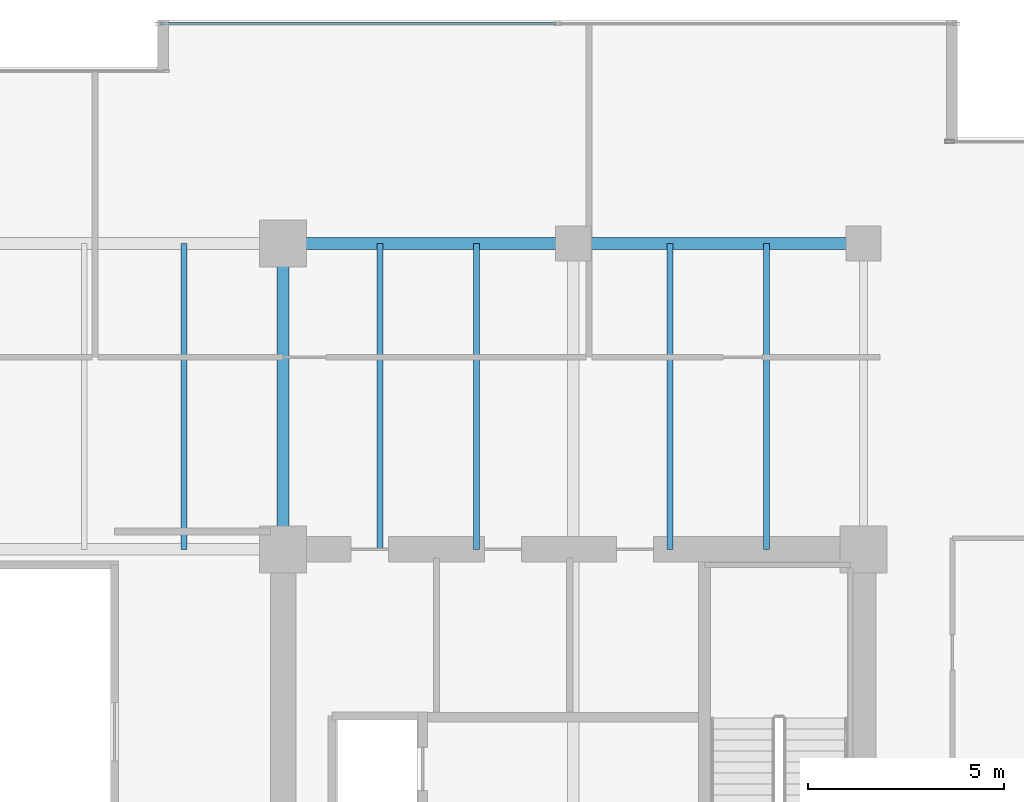
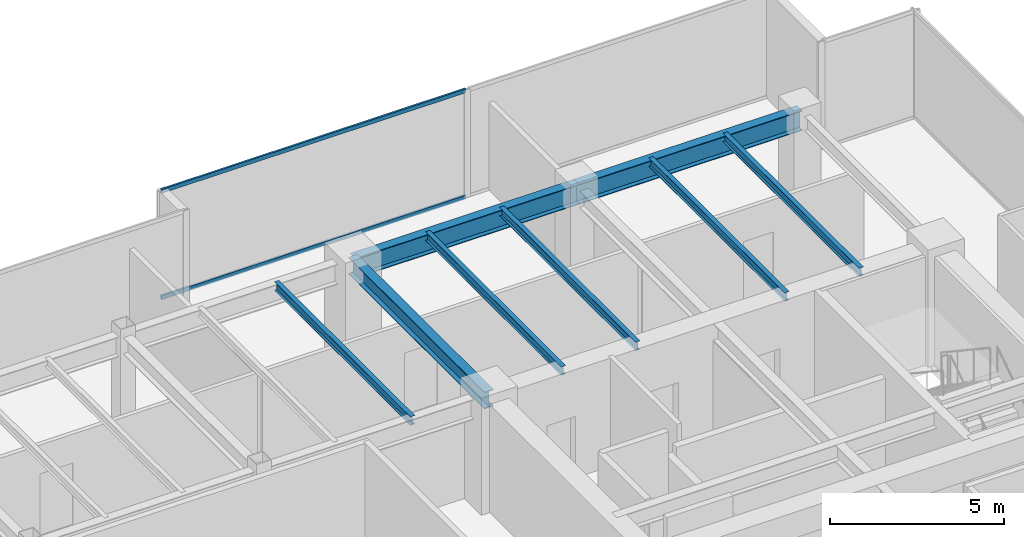
# One storey, part 19 of 31: 8 beams, 2 members, 1 element without a shape of its own.
"""IFC4 building model written with IfcOpenShell, lengths in metres."""

from ifc_helpers import new_model, si_unit, direction, frame, origin, origin_2d, place, context, subcontext, project, spatial, hollow_rectangle, i_section, extrude, source, transform, mapped, material, layer, layer_set, material_profile, profile_set, type_object, type_shapes, element, aggregate, save


model = new_model("IFC4")

# Units and contexts
model_context = context("Model", 3, precision=1e-05, world=origin(), true_north=direction((0.0, 1.0)))
body_context = subcontext(model_context, "Body", "Model", "MODEL_VIEW")
ifc_project = project(units=[si_unit("LENGTHUNIT", "METRE"), si_unit("AREAUNIT", "SQUARE_METRE"), si_unit("VOLUMEUNIT", "CUBIC_METRE"), si_unit("PLANEANGLEUNIT", "RADIAN"), si_unit("MASSUNIT", "GRAM", prefix="KILO")], contexts=[model_context])

# Site, building, storey
site_placement = place(None, origin())
site = spatial("IfcSite", under=ifc_project, at=site_placement, CompositionType="ELEMENT")
building_placement = place(site_placement, origin())
building = spatial("IfcBuilding", under=site, at=building_placement, Name="Haelvirn Gate Laboratories", CompositionType="ELEMENT")
storey_placement = place(building_placement, frame((0.0, 0.0, 150.199951171875)))
storey = spatial("IfcBuildingStorey", under=building, at=storey_placement, Name="L36", CompositionType="ELEMENT", Elevation=150.199951171875)

# Beams
ifc_material_1 = material(Name="Steel SM355", Category="steel")
ifc_material_profile_1 = material_profile(ifc_material_1, i_section(OverallWidth=0.300048828125, OverallDepth=0.699951171875, WebThickness=0.012939453125, FlangeThickness=0.02392578125, at=origin_2d()), Name="H-700x300x13x24")
ifc_profile_set_1 = profile_set([ifc_material_profile_1], Name="Steel SM355")
beam_type_1 = type_object("IfcBeamType", Name="BM-G-700", PredefinedType="BEAM", material=ifc_profile_set_1)
shared_shape_1 = source(origin(), body_context, "Body", "SweptSolid", [
    extrude(i_section(OverallWidth=0.300048828125, OverallDepth=0.699951171875, WebThickness=0.012939453125, FlangeThickness=0.02392578125, at=origin_2d()), origin(), (0.0, 0.0, 1.0), 7.39990234375),
])
type_shapes(beam_type_1, [shared_shape_1])
for number, where, z_axis, x_axis, name in (
    (1, (52.60009765625, 41.60009765625, 3.43994140625), (1.0, 0.0, 0.0), (0.0, 1.0, 0.0), "L36 Primary Girder Y41.6 (52.6-60.0)"),
    (2, (60.0, 41.60009765625, 3.43994140625), (1.0, 0.0, 0.0), (0.0, 1.0, 0.0), "L36 Primary Girder Y41.6 (60.0-67.4)"),
):
    element("IfcBeam", number, at=place(storey_placement, frame(where, z_axis=z_axis, x_axis=x_axis)), inside=storey, type_object=beam_type_1, Name=name, PredefinedType="BEAM", context=body_context, shape_type="MappedRepresentation", body=[
        mapped(shared_shape_1, transform((0.0, 0.0, 0.0), scale=1.0)),
    ])
ifc_material_profile_2 = material_profile(ifc_material_1, i_section(OverallWidth=0.14990234375, OverallDepth=0.300048828125, WebThickness=0.006591796875, FlangeThickness=0.009033203125, at=origin_2d()), Name="H-300x150x6.5x9")
ifc_profile_set_2 = profile_set([ifc_material_profile_2], Name="Steel SM355")
beam_type_2 = type_object("IfcBeamType", Name="BM-J-300", PredefinedType="JOIST", material=ifc_profile_set_2)
shared_shape_2 = source(origin(), body_context, "Body", "SweptSolid", [
    extrude(i_section(OverallWidth=0.14990234375, OverallDepth=0.300048828125, WebThickness=0.006591796875, FlangeThickness=0.009033203125, at=origin_2d()), origin(), (0.0, 0.0, 1.0), 7.800048828125),
])
type_shapes(beam_type_2, [shared_shape_2])
for number, where, z_axis, x_axis, name in (
    (3, (50.070068359375, 33.800048828125, 3.64013671875), (0.0, 1.0, 0.0), (-1.0, 0.0, 0.0), "L36 Composite Lab Joist North X50.07"),
    (4, (55.070068359375, 33.800048828125, 3.64013671875), (0.0, 1.0, 0.0), (-1.0, 0.0, 0.0), "L36 Composite Lab Joist North X55.07"),
    (5, (57.530029296875, 33.800048828125, 3.64013671875), (0.0, 1.0, 0.0), (-1.0, 0.0, 0.0), "L36 Composite Lab Joist North X57.53"),
    (6, (62.469970703125, 33.800048828125, 3.64013671875), (0.0, 1.0, 0.0), (-1.0, 0.0, 0.0), "L36 Composite Lab Joist North X62.47"),
    (7, (64.929931640625, 33.800048828125, 3.64013671875), (0.0, 1.0, 0.0), (-1.0, 0.0, 0.0), "L36 Composite Lab Joist North X64.93"),
):
    element("IfcBeam", number, at=place(storey_placement, frame(where, z_axis=z_axis, x_axis=x_axis)), inside=storey, type_object=beam_type_2, Name=name, PredefinedType="JOIST", context=body_context, shape_type="MappedRepresentation", body=[
        mapped(shared_shape_2, transform((0.0, 0.0, 0.0), scale=1.0)),
    ])
ifc_material_profile_3 = material_profile(ifc_material_1, i_section(OverallWidth=0.300048828125, OverallDepth=0.587890625, WebThickness=0.011962890625, FlangeThickness=0.02001953125, at=origin_2d()), Name="H-588x300x12x20")
ifc_profile_set_3 = profile_set([ifc_material_profile_3], Name="Steel SM355")
beam_type_3 = type_object("IfcBeamType", Name="BM-G-588", PredefinedType="BEAM", material=ifc_profile_set_3)
shared_shape_3 = source(origin(), body_context, "Body", "SweptSolid", [
    extrude(i_section(OverallWidth=0.300048828125, OverallDepth=0.587890625, WebThickness=0.011962890625, FlangeThickness=0.02001953125, at=origin_2d()), origin(), (0.0, 0.0, 1.0), 7.800048828125),
])
type_shapes(beam_type_3, [shared_shape_3])
beam_placement = place(storey_placement, frame((52.60009765625, 33.800048828125, 3.49609375), z_axis=(0.0, 1.0, 0.0), x_axis=(-1.0, 0.0, 0.0)))
element("IfcBeam", 8, at=beam_placement, inside=storey, type_object=beam_type_3, Name="L36 Frame Girder X52.6 (33.8-41.6)", PredefinedType="BEAM", context=body_context, shape_type="MappedRepresentation", body=[
    mapped(shared_shape_3, transform((0.0, 0.0, 0.0), scale=1.0)),
])

# Curtain wall, members
ifc_material_2 = material(Name="Anodised bronze unitised aluminium & triple low-E glass", Category="aluminium")
ifc_layer = layer(ifc_material_2, 0.179931640625, Name="CW-SYS-3")
ifc_layer_set = layer_set([ifc_layer], Name="Anodised bronze unitised aluminium & triple low-E glass")
curtain_wall_type = type_object("IfcCurtainWallType", Name="CW-SYS-3", PredefinedType="NOTDEFINED", material=ifc_layer_set)
curtain_wall_placement = place(storey_placement, origin())
curtain_wall = element("IfcCurtainWall", 9, at=curtain_wall_placement, inside=storey, type_object=curtain_wall_type, Name="L36 Unitised Curtain Wall CW-L36-P0-E10-1", PredefinedType="NOTDEFINED")
ifc_material_3 = material(Name="Extruded aluminium 6063-T6 (anodised bronze)", Category="aluminium")
ifc_material_profile_4 = material_profile(ifc_material_3, hollow_rectangle(XDim=0.06494140625, YDim=0.139892578125, WallThickness=0.00390625, at=origin_2d()), Name="CWT-140x65x4")
ifc_profile_set_4 = profile_set([ifc_material_profile_4], Name="Extruded aluminium 6063-T6 (anodised bronze)")
member_type = type_object("IfcMemberType", Name="CWT-T140", PredefinedType="USERDEFINED", material=ifc_profile_set_4)
shared_shape_4 = source(origin(), body_context, "Body", "SweptSolid", [
    extrude(hollow_rectangle(XDim=0.06494140625, YDim=0.139892578125, WallThickness=0.00390625, at=origin_2d()), origin(), (0.0, 0.0, 1.0), 10.08740234375),
])
type_shapes(member_type, [shared_shape_4])
member_1_placement = place(storey_placement, frame((49.47509765625, 47.199951171875, 0.032470703125), z_axis=(1.0, 0.0, 0.0), x_axis=(0.0, 1.0, 0.0)))
member_1 = element("IfcMember", 10, at=member_1_placement, type_object=member_type, Name="CW3 transom 1.1", ObjectType="TRANSOM", PredefinedType="USERDEFINED", context=body_context, shape_type="MappedRepresentation", body=[
    mapped(shared_shape_4, transform((0.0, 0.0, 0.0), scale=1.0)),
])
member_2_placement = place(storey_placement, frame((49.47509765625, 47.199951171875, 3.757568359375), z_axis=(1.0, 0.0, 0.0), x_axis=(0.0, 1.0, 0.0)))
member_2 = element("IfcMember", 11, at=member_2_placement, type_object=member_type, Name="CW3 transom 1.2", ObjectType="TRANSOM", PredefinedType="USERDEFINED", context=body_context, shape_type="MappedRepresentation", body=[
    mapped(shared_shape_4, transform((0.0, 0.0, 0.0), scale=1.0)),
])
aggregate(curtain_wall, [member_1, member_2])

save(model, "model.ifc")
